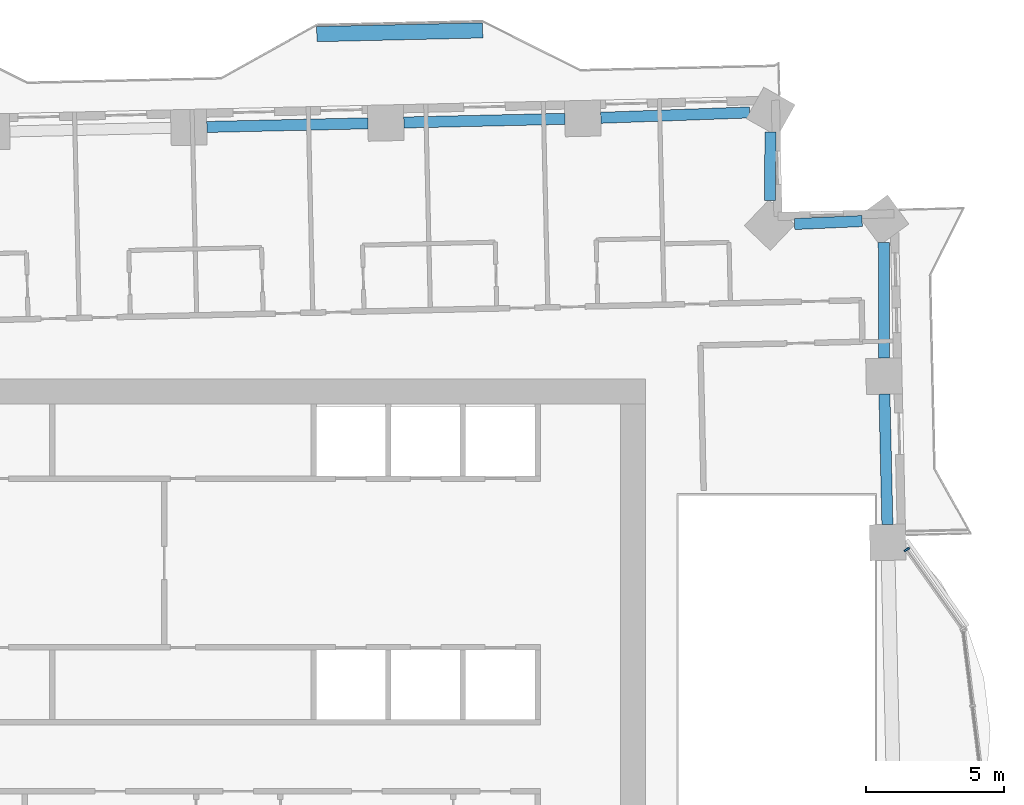
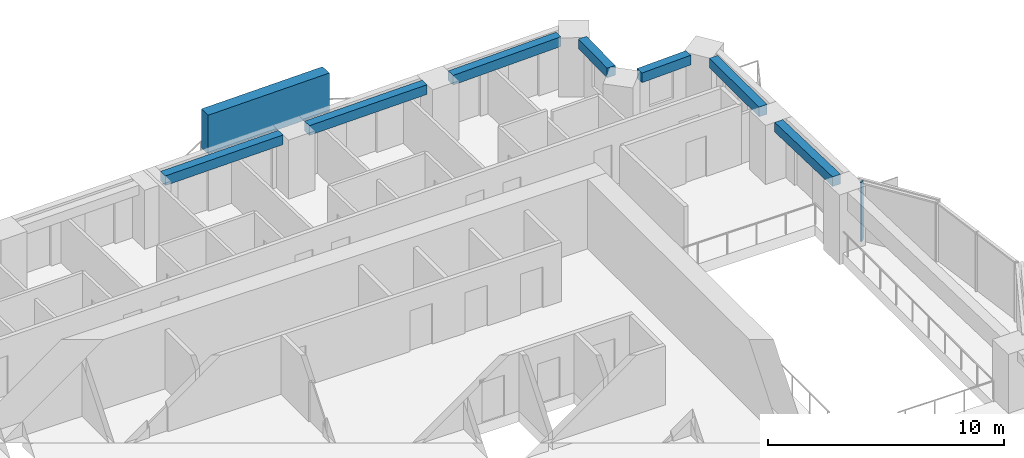
# One storey, part 4 of 16: 7 beams, 2 members, 1 element without a shape of its own.
"""IFC4 building model written with IfcOpenShell, lengths in metres."""

from ifc_helpers import new_model, si_unit, direction, frame, origin, origin_2d, place, context, subcontext, project, spatial, rectangle, extrude, material, material_profile, profile_set, type_object, element, aggregate, save


model = new_model("IFC4")

# Units and contexts
model_context = context("Model", 3, precision=1e-05, world=origin(), true_north=direction((0.0, 1.0)))
body_context = subcontext(model_context, "Body", "Model", "MODEL_VIEW")
ifc_project = project(units=[si_unit("LENGTHUNIT", "METRE"), si_unit("AREAUNIT", "SQUARE_METRE"), si_unit("VOLUMEUNIT", "CUBIC_METRE"), si_unit("PLANEANGLEUNIT", "RADIAN"), si_unit("MASSUNIT", "GRAM", prefix="KILO")], contexts=[model_context])

# Site, building, storey
site_placement = place(None, origin())
site = spatial("IfcSite", under=ifc_project, at=site_placement, CompositionType="ELEMENT")
building_placement = place(site_placement, origin())
building = spatial("IfcBuilding", under=site, at=building_placement, Name="Mangrove Gate Tower", CompositionType="ELEMENT")
storey_placement = place(building_placement, frame((0.0, 0.0, 140.89990234375)))
storey = spatial("IfcBuildingStorey", under=building, at=storey_placement, Name="L35", CompositionType="ELEMENT", Elevation=140.89990234375)

# Curtain wall, member
ifc_material_1 = material(Name="Aluminium and glass curtain wall", Category="aluminium")
curtain_wall_type = type_object("IfcCurtainWallType", Name="Atrium garden-court glazing wall", PredefinedType="NOTDEFINED", material=ifc_material_1)
curtain_wall_placement = place(storey_placement, origin())
curtain_wall = element("IfcCurtainWall", 1, at=curtain_wall_placement, inside=storey, type_object=curtain_wall_type, Name="Atrium garden-court glazing E1f3", PredefinedType="NOTDEFINED")
ifc_material_2 = material(Name="Aluminium alloy 6063-T6", Category="aluminium")
ifc_material_profile_1 = material_profile(ifc_material_2, rectangle(XDim=0.070068359375, YDim=0.199951171875, at=origin_2d()))
ifc_profile_set_1 = profile_set([ifc_material_profile_1], Name="Aluminium alloy 6063-T6")
member_type_1 = type_object("IfcMemberType", Name="Atrium garden-court glazing mullion 70x200", PredefinedType="MULLION", material=ifc_profile_set_1)
member_1_placement = place(storey_placement, frame((24.144775390625, 5.53759765625, 0.0), z_axis=(0.0, 0.0, 1.0), x_axis=(-0.578132252952, 0.815943072828, 0.0)))
member_1 = element("IfcMember", 2, at=member_1_placement, type_object=member_type_1, Name="CWA mullion 2", PredefinedType="MULLION", context=body_context, shape_type="SweptSolid", body=[
    extrude(rectangle(XDim=0.070068359375, YDim=0.199951171875, at=origin_2d()), origin(), (0.0, 0.0, 1.0), 3.050048828125),
])
aggregate(curtain_wall, [member_1])

# Member
ifc_material_3 = material(Name="Planting on aluminium trellis", Category="aluminium")
ifc_material_profile_2 = material_profile(ifc_material_3, rectangle(XDim=0.550048828125, YDim=2.0, at=origin_2d()))
ifc_profile_set_2 = profile_set([ifc_material_profile_2], Name="Planting on aluminium trellis")
member_type_2 = type_object("IfcMemberType", Name="Balcony greenery screen 550x2000", PredefinedType="USERDEFINED", material=ifc_profile_set_2)
member_2_placement = place(storey_placement, frame((2.81494140625, 24.172119140625, 1.800048828125), z_axis=(0.999743094499, 0.022665943652, 0.0), x_axis=(-0.022665943652, 0.999743094499, 0.0)))
element("IfcMember", 3, at=member_2_placement, inside=storey, type_object=member_type_2, Name="GREEN SCREEN L35 N0.1", ObjectType="PLANTING", PredefinedType="USERDEFINED", context=body_context, shape_type="SweptSolid", body=[
    extrude(rectangle(XDim=0.550048828125, YDim=2.0, at=origin_2d()), origin(), (0.0, 0.0, 1.0), 5.99951171875),
])

# Beams
ifc_material_4 = material(Name="Concrete C50/60", Category="concrete")
ifc_material_profile_3 = material_profile(ifc_material_4, rectangle(XDim=0.39990234375, YDim=0.5, at=origin_2d()))
ifc_profile_set_3 = profile_set([ifc_material_profile_3], Name="Concrete C50/60")
beam_type = type_object("IfcBeamType", Name="Edge beam RC 400x500 C50/60", PredefinedType="BEAM", material=ifc_profile_set_3)
beam_1_placement = place(storey_placement, frame((23.444580078125, 6.446044921875, 2.800048828125), z_axis=(-0.022643720968, 0.999743598079, 0.0), x_axis=(-0.999743598079, -0.022643720968, 0.0)))
element("IfcBeam", 4, at=beam_1_placement, inside=storey, type_object=beam_type, Name="Edge beam L35 15", PredefinedType="BEAM", context=body_context, shape_type="SweptSolid", body=[
    extrude(rectangle(XDim=0.39990234375, YDim=0.5, at=origin_2d()), origin(), (0.0, 0.0, 1.0), 4.711669921875),
])
beam_2_placement = place(storey_placement, frame((23.322021484375, 12.45654296875, 2.800048828125), z_axis=(-0.001866103585, 0.999998258827, 0.0), x_axis=(-0.999998258827, -0.001866103585, 0.0)))
element("IfcBeam", 5, at=beam_2_placement, inside=storey, type_object=beam_type, Name="Edge beam L35 16", PredefinedType="BEAM", context=body_context, shape_type="SweptSolid", body=[
    extrude(rectangle(XDim=0.39990234375, YDim=0.5, at=origin_2d()), origin(), (0.0, 0.0, 1.0), 4.1865234375),
])
beam_3_placement = place(storey_placement, frame((22.531982421875, 17.41357421875, 2.800048828125), z_axis=(-0.999039321051, -0.04382276798, 0.0), x_axis=(0.04382276798, -0.999039321051, 0.0)))
element("IfcBeam", 6, at=beam_3_placement, inside=storey, type_object=beam_type, Name="Edge beam L35 17", PredefinedType="BEAM", context=body_context, shape_type="SweptSolid", body=[
    extrude(rectangle(XDim=0.39990234375, YDim=0.5, at=origin_2d()), origin(), (0.0, 0.0, 1.0), 2.44580078125),
])
beam_4_placement = place(storey_placement, frame((19.19677734375, 18.15869140625, 2.800048828125), z_axis=(0.008702202125, 0.999962135122, 0.0), x_axis=(-0.999962135122, 0.008702202125, 0.0)))
element("IfcBeam", 7, at=beam_4_placement, inside=storey, type_object=beam_type, Name="Edge beam L35 18", PredefinedType="BEAM", context=body_context, shape_type="SweptSolid", body=[
    extrude(rectangle(XDim=0.39990234375, YDim=0.5, at=origin_2d()), origin(), (0.0, 0.0, 1.0), 2.46875),
])
beam_5_placement = place(storey_placement, frame((18.464599609375, 21.34130859375, 2.800048828125), z_axis=(-0.999351539582, -0.036006948424, 0.0), x_axis=(0.036006948424, -0.999351539582, 0.0)))
element("IfcBeam", 8, at=beam_5_placement, inside=storey, type_object=beam_type, Name="Edge beam L35 19", PredefinedType="BEAM", context=body_context, shape_type="SweptSolid", body=[
    extrude(rectangle(XDim=0.39990234375, YDim=0.5, at=origin_2d()), origin(), (0.0, 0.0, 1.0), 5.383544921875),
])
for number, where, z_axis, x_axis, name in (
    (9, (11.784912109375, 21.109375, 2.800048828125), (-0.999741835545, -0.022721405353, 0.0), (0.022721405353, -0.999741835545, 0.0), "Edge beam L35 20"),
    (10, (4.662841796875, 20.947509765625, 2.800048828125), (-0.999744684453, -0.022595705507, 0.0), (0.022595705507, -0.999744684453, 0.0), "Edge beam L35 21"),
):
    element("IfcBeam", number, at=place(storey_placement, frame(where, z_axis=z_axis, x_axis=x_axis)), inside=storey, type_object=beam_type, Name=name, PredefinedType="BEAM", context=body_context, shape_type="SweptSolid", body=[
        extrude(rectangle(XDim=0.39990234375, YDim=0.5, at=origin_2d()), origin(), (0.0, 0.0, 1.0), 5.82373046875),
    ])

save(model, "model.ifc")
